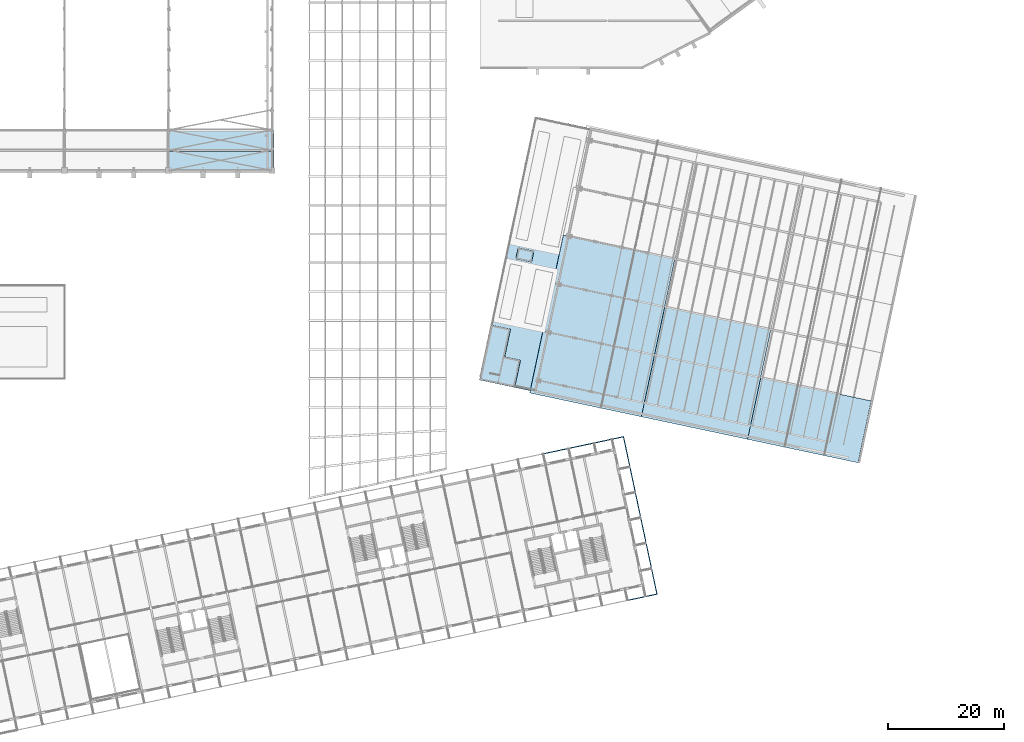
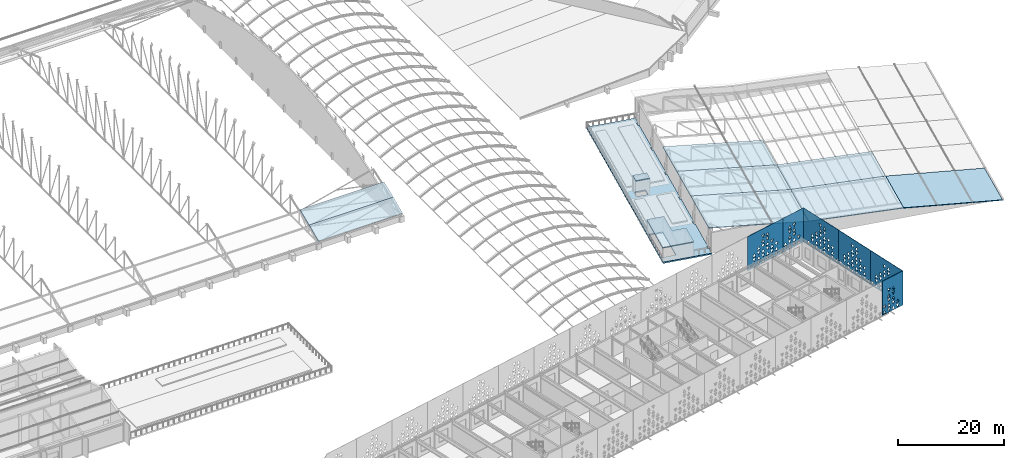
# One storey, part 111 of 196: 11 slabs, 6 plates.
"""IFC4 building model written with IfcOpenShell, lengths in metres."""

from ifc_helpers import new_model, si_unit, direction, frame, origin, place, context, subcontext, project, spatial, polyline, outline, extrude, material, layer, layer_set, type_object, element, save


model = new_model("IFC4")

# Units and contexts
model_context = context("Model", 3, precision=1e-05, world=origin(), true_north=direction((0.0, 1.0)))
body_context = subcontext(model_context, "Body", "Model", "MODEL_VIEW")
ifc_project = project(units=[si_unit("LENGTHUNIT", "METRE"), si_unit("AREAUNIT", "SQUARE_METRE"), si_unit("VOLUMEUNIT", "CUBIC_METRE"), si_unit("PLANEANGLEUNIT", "RADIAN"), si_unit("MASSUNIT", "GRAM", prefix="KILO")], contexts=[model_context])

# Site, building, storey
site_placement = place(None, origin())
site = spatial("IfcSite", under=ifc_project, at=site_placement, CompositionType="ELEMENT")
building_placement = place(site_placement, origin())
building = spatial("IfcBuilding", under=site, at=building_placement, Name="Okhra Congress Centre", CompositionType="ELEMENT")
storey_placement = place(building_placement, frame((0.0, 0.0, 12.0)))
storey = spatial("IfcBuildingStorey", under=building, at=storey_placement, Name="L02", CompositionType="ELEMENT", Elevation=12.0)

# Slabs
ifc_material_1 = material(Name="Insulated metal roof panel (mineral wool core), standing seam")
ifc_layer_1 = layer(ifc_material_1, 0.14990234375)
ifc_layer_set_1 = layer_set([ifc_layer_1], Name="Insulated roof panel 150")
slab_type_1 = type_object("IfcSlabType", Name="Insulated roof panel 150", PredefinedType="ROOF", material=ifc_layer_set_1)
slab_1_placement = place(storey_placement, frame((198.56005859375, 93.46484375, 6.267578125), z_axis=(0.136123377905, -0.028933703334, 0.990269290041), x_axis=(0.968630808877, -0.205882546357, -0.139164410682)))
element("IfcSlab", 1, at=slab_1_placement, inside=storey, type_object=slab_type_1, Name="Ballroom roof panel 1.1", PredefinedType="ROOF", context=body_context, shape_type="SweptSolid", body=[
    extrude(outline(polyline([(0.0, 0.0), (19.94675860483812, 6.76399854095816e-16), (19.946809655024843, 10.949973122126861), (5.105018672502126e-05, 10.94997312212686), (0.0, 0.0)])), origin(), (0.0, 0.0, -1.0), 0.14990234375),
])
slab_2_placement = place(storey_placement, frame((200.836669921875, 104.175537109375, 6.267578125), z_axis=(0.136122619936, -0.028933301554, 0.990269405971), x_axis=(0.968630922273, -0.205882570459, -0.139163585743)))
element("IfcSlab", 2, at=slab_2_placement, inside=storey, type_object=slab_type_1, Name="Ballroom roof panel 1.2", PredefinedType="ROOF", context=body_context, shape_type="SweptSolid", body=[
    extrude(outline(polyline([(0.0, 0.0), (19.9467586048312, 8.230602207811091e-16), (19.94690223504143, 8.49997296626778), (-9.285194852526324e-05, 8.499922208046895), (0.0, 0.0)])), origin(), (0.0, 0.0, -1.0), 0.14990234375),
])
slab_3_placement = place(storey_placement, frame((202.603759765625, 112.48974609375, 6.267578125), z_axis=(0.136122534815, -0.028932858665, 0.990269430612), x_axis=(0.96863147542, -0.205880086531, -0.139163410403)))
element("IfcSlab", 3, at=slab_3_placement, inside=storey, type_object=slab_type_1, Name="Ballroom roof panel 1.3", PredefinedType="ROOF", context=body_context, shape_type="SweptSolid", body=[
    extrude(outline(polyline([(0.0, 0.0), (19.946995087057164, -1.89484658432576e-16), (19.94692386447297, 8.49992220826182), (0.00011499601660891479, 8.50021177187685), (0.0, 0.0)])), origin(), (0.0, 0.0, -1.0), 0.14990234375),
])
slab_4_placement = place(storey_placement, frame((217.881103515625, 89.358154296875, 3.49169921875), z_axis=(0.051196973108, -0.010882048123, 0.998629286058), x_axis=(0.976804589265, -0.207637292809, -0.05234070143)))
element("IfcSlab", 4, at=slab_4_placement, inside=storey, type_object=slab_type_1, Name="Ballroom roof panel 2.1", PredefinedType="ROOF", context=body_context, shape_type="SweptSolid", body=[
    extrude(outline(polyline([(0.0, 0.0), (18.821084194743793, -6.892222388513516e-17), (18.820898522086438, 10.950211926432162), (-0.00013497995891675885, 10.949973121413832), (0.0, 0.0)])), origin(), (0.0, 0.0, -1.0), 0.14990234375),
])
slab_5_placement = place(storey_placement, frame((220.15771484375, 100.06884765625, 3.49169921875), z_axis=(0.05119688237, -0.010882814021, 0.998629282364), x_axis=(0.976807223732, -0.207624881121, -0.052340771918)))
element("IfcSlab", 5, at=slab_5_placement, inside=storey, type_object=slab_type_1, Name="Ballroom roof panel 2.2", PredefinedType="ROOF", context=body_context, shape_type="SweptSolid", body=[
    extrude(outline(polyline([(0.0, 0.0), (18.821033503560404, 1.8595676620726184e-16), (18.82114145424898, 8.499972966812038), (0.00010795068857816226, 8.499972966812038), (0.0, 0.0)])), origin(), (0.0, 0.0, -1.0), 0.14990234375),
])
slab_6_placement = place(storey_placement, frame((236.265625, 85.4501953125, 2.506591796875), z_axis=(0.119203857481, -0.025337086058, 0.992546458576), x_axis=(0.970858495354, -0.206354681147, -0.121866843596)))
element("IfcSlab", 6, at=slab_6_placement, inside=storey, type_object=slab_type_1, Name="Ballroom roof panel 3.1", PredefinedType="ROOF", context=body_context, shape_type="SweptSolid", body=[
    extrude(outline(polyline([(0.0, 0.0), (19.698809166923315, -6.698743122701689e-16), (19.698874902415564, 10.949973122048112), (1.5355931422433855e-05, 10.95021192799518), (0.0, 0.0)])), origin(), (0.0, 0.0, -1.0), 0.14990234375),
])
ifc_material_2 = material(Name="Insulated metal sandwich roof panel (mineral wool core)")
ifc_layer_2 = layer(ifc_material_2, 0.25)
ifc_layer_set_2 = layer_set([ifc_layer_2], Name="Insulated roof panel 250")
slab_type_2 = type_object("IfcSlabType", Name="Insulated roof panel 250", PredefinedType="ROOF", material=ifc_layer_set_2)
slab_7_placement = place(storey_placement, frame((136.0, 131.795654296875, 1.8564453125), z_axis=(0.0, -0.408547084695, 0.912737245645), x_axis=(1.0, 0.0, 0.0)))
element("IfcSlab", 7, at=slab_7_placement, inside=storey, type_object=slab_type_2, Name="EH.SLAB.L02.RP7-01", PredefinedType="ROOF", context=body_context, shape_type="SweptSolid", body=[
    extrude(outline(polyline([(0.0, 0.0), (18.25, 0.0), (18.25, 3.8442488013304907), (0.0, 3.8442488013304907), (0.0, 0.0)])), origin(), (0.0, 0.0, -1.0), 0.25),
])
slab_8_placement = place(storey_placement, frame((136.0, 135.304443359375, 3.427001953125), z_axis=(0.0, -0.37302210348, 0.927822456247), x_axis=(1.0, 0.0, 0.0)))
element("IfcSlab", 8, at=slab_8_placement, inside=storey, type_object=slab_type_2, Name="EH.SLAB.L02.RP7-02", PredefinedType="ROOF", context=body_context, shape_type="SweptSolid", body=[
    extrude(outline(polyline([(0.0, 0.0), (18.25, 0.0), (18.25, 3.791482133182613), (0.0, 3.791482133182613), (0.0, 0.0)])), origin(), (0.0, 0.0, -1.0), 0.25),
])
ifc_material_3 = material(Name="Concrete C30/37", Category="concrete")
ifc_layer_3 = layer(ifc_material_3, 0.199951171875)
ifc_layer_set_3 = layer_set([ifc_layer_3], Name="RC roof slab 200 C30/37")
slab_type_3 = type_object("IfcSlabType", Name="RC roof slab 200 C30/37", PredefinedType="ROOF", material=ifc_layer_set_3)
slab_9_placement = place(storey_placement, frame((0.0, 0.0, 3.199951171875)))
element("IfcSlab", 9, at=slab_9_placement, inside=storey, type_object=slab_type_3, Name="Gallery stair head-house roof slab", PredefinedType="ROOF", context=body_context, shape_type="SweptSolid", body=[
    extrude(outline(polyline([(189.83984375, 95.727294921875), (195.953125, 94.427978515625), (196.951171875, 99.123046875), (194.21240234375, 99.705078125), (195.231201171875, 104.498046875), (191.8564453125, 105.21533203125), (189.83984375, 95.727294921875)])), origin(), (0.0, 0.0, 1.0), 0.199951171875),
])
slab_10_placement = place(storey_placement, frame((0.0, 0.0, 3.60009765625)))
element("IfcSlab", 10, at=slab_10_placement, inside=storey, type_object=slab_type_3, Name="Gallery lift shaft lid", PredefinedType="ROOF", context=body_context, shape_type="SweptSolid", body=[
    extrude(outline(polyline([(196.143310546875, 116.7255859375), (198.882080078125, 116.1435546875), (199.277099609375, 118.001953125), (196.538330078125, 118.584228515625), (196.143310546875, 116.7255859375)])), origin(), (0.0, 0.0, 1.0), 0.199951171875),
])
ifc_material_4 = material(Name="Concrete C35/45", Category="concrete")
ifc_layer_4 = layer(ifc_material_4, 0.300048828125)
ifc_layer_set_4 = layer_set([ifc_layer_4], Name="RC terrace slab 300 C35/45")
slab_type_4 = type_object("IfcSlabType", Name="RC terrace slab 300 C35/45", PredefinedType="FLOOR", material=ifc_layer_set_4)
slab_11_placement = place(storey_placement, frame((0.0, 0.0, -0.300048828125)))
element("IfcSlab", 11, at=slab_11_placement, inside=storey, type_object=slab_type_4, Name="Foyer roof terrace slab", PredefinedType="FLOOR", context=body_context, shape_type="SweptSolid", body=[
    extrude(outline(polyline([(189.937744140625, 95.70654296875), (199.376708984375, 93.7001953125), (199.7197265625, 95.314208984375), (199.475341796875, 95.3662109375), (199.6416015625, 96.148681640625), (199.88623046875, 96.0966796875), (201.487060546875, 103.62841796875), (201.242431640625, 103.680419921875), (201.408935546875, 104.462890625), (201.6533203125, 104.410888671875), (203.25439453125, 111.942626953125), (203.009765625, 111.99462890625), (203.176025390625, 112.777099609375), (203.420654296875, 112.72509765625), (205.021484375, 120.2568359375), (204.777099609375, 120.308837890625), (204.943359375, 121.09130859375), (205.18798828125, 121.03955078125), (206.788818359375, 128.5712890625), (206.544189453125, 128.623046875), (206.710693359375, 129.40576171875), (206.955078125, 129.353759765625), (208.55615234375, 136.885498046875), (208.3115234375, 136.9375), (208.477783203125, 137.719970703125), (208.722412109375, 137.66796875), (209.0654296875, 139.281982421875), (199.626220703125, 141.288330078125), (189.937744140625, 95.70654296875)]), holes=[polyline([(193.245361328125, 96.598388671875), (194.896240234375, 104.36474609375), (192.1083984375, 104.957275390625), (190.45751953125, 97.19091796875), (193.245361328125, 96.598388671875)]), polyline([(196.478271484375, 116.85888671875), (198.63037109375, 116.4013671875), (198.942138671875, 117.86865234375), (196.790283203125, 118.326171875), (196.478271484375, 116.85888671875)])]), origin(), (0.0, 0.0, 1.0), 0.300048828125),
])

# Plates
ifc_material_5 = material(Name="Fired clay terracotta rainscreen panel, deep oxide-red glaze, non-combustible", Category="masonry")
ifc_layer_5 = layer(ifc_material_5, 0.080078125)
ifc_layer_set_5 = layer_set([ifc_layer_5], Name="Terracotta screen panel 5230x7840")
plate_type_1 = type_object("IfcPlateType", Name="Terracotta screen panel 5230x7840", PredefinedType="SHEET", material=ifc_layer_set_5)
plate_1_placement = place(storey_placement, frame((215.5, 57.57666015625, 1.949951171875), z_axis=(0.0, 0.0, 1.0), x_axis=(0.978146748157, 0.207915701837, 0.0)))
element("IfcPlate", 12, at=plate_1_placement, inside=storey, type_object=plate_type_1, Name="Screen panel S19 Tier 2", PredefinedType="SHEET", context=body_context, shape_type="SweptSolid", body=[
    extrude(outline(polyline([(0.0, 0.0), (5.22998046875, 0.0), (5.22998046875, 7.840087890625), (0.0, 7.840087890625), (0.0, 0.0)]), holes=[polyline([(0.176513671875, 0.183837890625), (0.943603515625, 0.183837890625), (0.56005859375, 0.93603515625), (0.176513671875, 0.183837890625)]), polyline([(1.29638671875, 0.93603515625), (1.679931640625, 0.183837890625), (2.0634765625, 0.93603515625), (1.29638671875, 0.93603515625)]), polyline([(2.41650390625, 0.183837890625), (3.18359375, 0.183837890625), (2.800048828125, 0.93603515625), (2.41650390625, 0.183837890625)]), polyline([(3.536376953125, 0.93603515625), (3.919921875, 0.183837890625), (4.3037109375, 0.93603515625), (3.536376953125, 0.93603515625)]), polyline([(0.176513671875, 2.05615234375), (0.56005859375, 1.303955078125), (0.943603515625, 2.05615234375), (0.176513671875, 2.05615234375)]), polyline([(1.29638671875, 1.303955078125), (2.0634765625, 1.303955078125), (1.679931640625, 2.05615234375), (1.29638671875, 1.303955078125)]), polyline([(2.41650390625, 2.05615234375), (2.800048828125, 1.303955078125), (3.18359375, 2.05615234375), (2.41650390625, 2.05615234375)]), polyline([(3.536376953125, 1.303955078125), (4.3037109375, 1.303955078125), (3.919921875, 2.05615234375), (3.536376953125, 1.303955078125)]), polyline([(1.29638671875, 3.176025390625), (1.679931640625, 2.423828125), (2.0634765625, 3.176025390625), (1.29638671875, 3.176025390625)]), polyline([(2.41650390625, 2.423828125), (3.18359375, 2.423828125), (2.800048828125, 3.176025390625), (2.41650390625, 2.423828125)]), polyline([(1.29638671875, 3.5439453125), (2.0634765625, 3.5439453125), (1.679931640625, 4.296142578125), (1.29638671875, 3.5439453125)]), polyline([(2.41650390625, 4.296142578125), (2.800048828125, 3.5439453125), (3.18359375, 4.296142578125), (2.41650390625, 4.296142578125)]), polyline([(1.29638671875, 5.416015625), (1.679931640625, 4.663818359375), (2.0634765625, 5.416015625), (1.29638671875, 5.416015625)]), polyline([(2.41650390625, 4.663818359375), (3.18359375, 4.663818359375), (2.800048828125, 5.416015625), (2.41650390625, 4.663818359375)])]), frame((0.0, 0.0400390625, 0.0), z_axis=(0.0, -1.0, 0.0), x_axis=(1.0, 0.0, 0.0)), (0.0, 0.0, 1.0), 0.080078125),
])
plate_2_placement = place(storey_placement, frame((214.825439453125, 85.905517578125, 1.949951171875), z_axis=(0.0, 0.0, 1.0), x_axis=(-0.978146748157, -0.207915701837, 0.0)))
element("IfcPlate", 13, at=plate_2_placement, inside=storey, type_object=plate_type_1, Name="Screen panel N1 Tier 2", PredefinedType="SHEET", context=body_context, shape_type="SweptSolid", body=[
    extrude(outline(polyline([(0.0, 0.0), (5.22998046875, 0.0), (5.22998046875, 7.840087890625), (0.0, 7.840087890625), (0.0, 0.0)]), holes=[polyline([(0.926513671875, 0.183837890625), (1.693603515625, 0.183837890625), (1.31005859375, 0.93603515625), (0.926513671875, 0.183837890625)]), polyline([(2.04638671875, 0.93603515625), (2.429931640625, 0.183837890625), (2.8134765625, 0.93603515625), (2.04638671875, 0.93603515625)]), polyline([(3.16650390625, 0.183837890625), (3.93359375, 0.183837890625), (3.550048828125, 0.93603515625), (3.16650390625, 0.183837890625)]), polyline([(4.286376953125, 0.93603515625), (4.669921875, 0.183837890625), (5.0537109375, 0.93603515625), (4.286376953125, 0.93603515625)]), polyline([(0.926513671875, 2.05615234375), (1.31005859375, 1.303955078125), (1.693603515625, 2.05615234375), (0.926513671875, 2.05615234375)]), polyline([(2.04638671875, 1.303955078125), (2.8134765625, 1.303955078125), (2.429931640625, 2.05615234375), (2.04638671875, 1.303955078125)]), polyline([(3.16650390625, 2.05615234375), (3.550048828125, 1.303955078125), (3.93359375, 2.05615234375), (3.16650390625, 2.05615234375)]), polyline([(4.286376953125, 1.303955078125), (5.0537109375, 1.303955078125), (4.669921875, 2.05615234375), (4.286376953125, 1.303955078125)]), polyline([(2.04638671875, 3.176025390625), (2.429931640625, 2.423828125), (2.8134765625, 3.176025390625), (2.04638671875, 3.176025390625)]), polyline([(3.16650390625, 2.423828125), (3.93359375, 2.423828125), (3.550048828125, 3.176025390625), (3.16650390625, 2.423828125)]), polyline([(2.04638671875, 3.5439453125), (2.8134765625, 3.5439453125), (2.429931640625, 4.296142578125), (2.04638671875, 3.5439453125)]), polyline([(3.16650390625, 4.296142578125), (3.550048828125, 3.5439453125), (3.93359375, 4.296142578125), (3.16650390625, 4.296142578125)]), polyline([(2.04638671875, 5.416015625), (2.429931640625, 4.663818359375), (2.8134765625, 5.416015625), (2.04638671875, 5.416015625)]), polyline([(3.16650390625, 4.663818359375), (3.93359375, 4.663818359375), (3.550048828125, 5.416015625), (3.16650390625, 4.663818359375)])]), frame((0.0, 0.0400390625, 0.0), z_axis=(0.0, -1.0, 0.0), x_axis=(1.0, 0.0, 0.0)), (0.0, 0.0, 1.0), 0.080078125),
])
ifc_layer_6 = layer(ifc_material_5, 0.080078125)
ifc_layer_set_6 = layer_set([ifc_layer_6], Name="Terracotta screen panel 8970x7840")
plate_type_2 = type_object("IfcPlateType", Name="Terracotta screen panel 8970x7840", PredefinedType="SHEET", material=ifc_layer_set_6)
plate_3_placement = place(storey_placement, frame((220.568359375, 58.69482421875, 1.949951171875), z_axis=(0.0, 0.0, 1.0), x_axis=(-0.207915396115, 0.978146813141, 0.0)))
element("IfcPlate", 14, at=plate_3_placement, inside=storey, type_object=plate_type_2, Name="Screen panel E1 Tier 2", PredefinedType="SHEET", context=body_context, shape_type="SweptSolid", body=[
    extrude(outline(polyline([(0.0, 0.0), (8.969970703125, 0.0), (8.969970703125, 7.840087890625), (0.0, 7.840087890625), (0.0, 0.0)]), holes=[polyline([(0.1865234375, 0.183837890625), (0.95361328125, 0.183837890625), (0.570068359375, 0.93603515625), (0.1865234375, 0.183837890625)]), polyline([(1.306396484375, 0.93603515625), (1.68994140625, 0.183837890625), (2.073486328125, 0.93603515625), (1.306396484375, 0.93603515625)]), polyline([(2.426513671875, 0.183837890625), (3.193603515625, 0.183837890625), (2.81005859375, 0.93603515625), (2.426513671875, 0.183837890625)]), polyline([(3.54638671875, 0.93603515625), (3.929931640625, 0.183837890625), (4.3134765625, 0.93603515625), (3.54638671875, 0.93603515625)]), polyline([(4.66650390625, 0.183837890625), (5.43359375, 0.183837890625), (5.050048828125, 0.93603515625), (4.66650390625, 0.183837890625)]), polyline([(5.786376953125, 0.93603515625), (6.169921875, 0.183837890625), (6.5537109375, 0.93603515625), (5.786376953125, 0.93603515625)]), polyline([(6.906494140625, 0.183837890625), (7.673583984375, 0.183837890625), (7.2900390625, 0.93603515625), (6.906494140625, 0.183837890625)]), polyline([(8.0263671875, 0.93603515625), (8.409912109375, 0.183837890625), (8.793701171875, 0.93603515625), (8.0263671875, 0.93603515625)]), polyline([(1.306396484375, 1.303955078125), (2.073486328125, 1.303955078125), (1.68994140625, 2.05615234375), (1.306396484375, 1.303955078125)]), polyline([(2.426513671875, 2.05615234375), (2.81005859375, 1.303955078125), (3.193603515625, 2.05615234375), (2.426513671875, 2.05615234375)]), polyline([(3.54638671875, 1.303955078125), (4.3134765625, 1.303955078125), (3.929931640625, 2.05615234375), (3.54638671875, 1.303955078125)]), polyline([(4.66650390625, 2.05615234375), (5.050048828125, 1.303955078125), (5.43359375, 2.05615234375), (4.66650390625, 2.05615234375)]), polyline([(5.786376953125, 1.303955078125), (6.5537109375, 1.303955078125), (6.169921875, 2.05615234375), (5.786376953125, 1.303955078125)]), polyline([(6.906494140625, 2.05615234375), (7.2900390625, 1.303955078125), (7.673583984375, 2.05615234375), (6.906494140625, 2.05615234375)]), polyline([(1.306396484375, 3.176025390625), (1.68994140625, 2.423828125), (2.073486328125, 3.176025390625), (1.306396484375, 3.176025390625)]), polyline([(2.426513671875, 2.423828125), (3.193603515625, 2.423828125), (2.81005859375, 3.176025390625), (2.426513671875, 2.423828125)]), polyline([(3.54638671875, 3.176025390625), (3.929931640625, 2.423828125), (4.3134765625, 3.176025390625), (3.54638671875, 3.176025390625)]), polyline([(4.66650390625, 2.423828125), (5.43359375, 2.423828125), (5.050048828125, 3.176025390625), (4.66650390625, 2.423828125)]), polyline([(5.786376953125, 3.176025390625), (6.169921875, 2.423828125), (6.5537109375, 3.176025390625), (5.786376953125, 3.176025390625)]), polyline([(6.906494140625, 2.423828125), (7.673583984375, 2.423828125), (7.2900390625, 3.176025390625), (6.906494140625, 2.423828125)]), polyline([(2.426513671875, 4.296142578125), (2.81005859375, 3.5439453125), (3.193603515625, 4.296142578125), (2.426513671875, 4.296142578125)]), polyline([(3.54638671875, 3.5439453125), (4.3134765625, 3.5439453125), (3.929931640625, 4.296142578125), (3.54638671875, 3.5439453125)]), polyline([(4.66650390625, 4.296142578125), (5.050048828125, 3.5439453125), (5.43359375, 4.296142578125), (4.66650390625, 4.296142578125)]), polyline([(5.786376953125, 3.5439453125), (6.5537109375, 3.5439453125), (6.169921875, 4.296142578125), (5.786376953125, 3.5439453125)]), polyline([(3.54638671875, 5.416015625), (3.929931640625, 4.663818359375), (4.3134765625, 5.416015625), (3.54638671875, 5.416015625)]), polyline([(4.66650390625, 4.663818359375), (5.43359375, 4.663818359375), (5.050048828125, 5.416015625), (4.66650390625, 4.663818359375)]), polyline([(3.54638671875, 5.783935546875), (4.3134765625, 5.783935546875), (3.929931640625, 6.5361328125), (3.54638671875, 5.783935546875)]), polyline([(4.66650390625, 6.5361328125), (5.050048828125, 5.783935546875), (5.43359375, 6.5361328125), (4.66650390625, 6.5361328125)])]), frame((0.0, 0.0400390625, 0.0), z_axis=(0.0, -1.0, 0.0), x_axis=(1.0, 0.0, 0.0)), (0.0, 0.0, 1.0), 0.080078125),
])
ifc_layer_7 = layer(ifc_material_5, 0.080078125)
ifc_layer_set_7 = layer_set([ifc_layer_7], Name="Terracotta screen panel 8980x7840")
plate_type_3 = type_object("IfcPlateType", Name="Terracotta screen panel 8980x7840", PredefinedType="SHEET", material=ifc_layer_set_7)
plate_4_placement = place(storey_placement, frame((218.69921875, 67.48828125, 1.949951171875), z_axis=(0.0, 0.0, 1.0), x_axis=(-0.207922809819, 0.978145237251, 0.0)))
element("IfcPlate", 15, at=plate_4_placement, inside=storey, type_object=plate_type_3, Name="Screen panel E2 Tier 2", PredefinedType="SHEET", context=body_context, shape_type="SweptSolid", body=[
    extrude(outline(polyline([(0.0, 0.0), (8.980224609375, 0.0), (8.980224609375, 7.840087890625), (0.0, 7.840087890625), (0.0, 0.0)]), holes=[polyline([(0.176513671875, 0.183837890625), (0.943603515625, 0.183837890625), (0.56005859375, 0.93603515625), (0.176513671875, 0.183837890625)]), polyline([(1.29638671875, 0.93603515625), (1.679931640625, 0.183837890625), (2.0634765625, 0.93603515625), (1.29638671875, 0.93603515625)]), polyline([(2.41650390625, 0.183837890625), (3.18359375, 0.183837890625), (2.800048828125, 0.93603515625), (2.41650390625, 0.183837890625)]), polyline([(3.536376953125, 0.93603515625), (3.919921875, 0.183837890625), (4.3037109375, 0.93603515625), (3.536376953125, 0.93603515625)]), polyline([(4.656494140625, 0.183837890625), (5.423583984375, 0.183837890625), (5.0400390625, 0.93603515625), (4.656494140625, 0.183837890625)]), polyline([(5.7763671875, 0.93603515625), (6.159912109375, 0.183837890625), (6.543701171875, 0.93603515625), (5.7763671875, 0.93603515625)]), polyline([(6.896484375, 0.183837890625), (7.66357421875, 0.183837890625), (7.280029296875, 0.93603515625), (6.896484375, 0.183837890625)]), polyline([(8.016357421875, 0.93603515625), (8.39990234375, 0.183837890625), (8.78369140625, 0.93603515625), (8.016357421875, 0.93603515625)]), polyline([(1.29638671875, 1.303955078125), (2.0634765625, 1.303955078125), (1.679931640625, 2.05615234375), (1.29638671875, 1.303955078125)]), polyline([(2.41650390625, 2.05615234375), (2.800048828125, 1.303955078125), (3.18359375, 2.05615234375), (2.41650390625, 2.05615234375)]), polyline([(3.536376953125, 1.303955078125), (4.3037109375, 1.303955078125), (3.919921875, 2.05615234375), (3.536376953125, 1.303955078125)]), polyline([(4.656494140625, 2.05615234375), (5.0400390625, 1.303955078125), (5.423583984375, 2.05615234375), (4.656494140625, 2.05615234375)]), polyline([(5.7763671875, 1.303955078125), (6.543701171875, 1.303955078125), (6.159912109375, 2.05615234375), (5.7763671875, 1.303955078125)]), polyline([(6.896484375, 2.05615234375), (7.280029296875, 1.303955078125), (7.66357421875, 2.05615234375), (6.896484375, 2.05615234375)]), polyline([(1.29638671875, 3.176025390625), (1.679931640625, 2.423828125), (2.0634765625, 3.176025390625), (1.29638671875, 3.176025390625)]), polyline([(2.41650390625, 2.423828125), (3.18359375, 2.423828125), (2.800048828125, 3.176025390625), (2.41650390625, 2.423828125)]), polyline([(3.536376953125, 3.176025390625), (3.919921875, 2.423828125), (4.3037109375, 3.176025390625), (3.536376953125, 3.176025390625)]), polyline([(4.656494140625, 2.423828125), (5.423583984375, 2.423828125), (5.0400390625, 3.176025390625), (4.656494140625, 2.423828125)]), polyline([(5.7763671875, 3.176025390625), (6.159912109375, 2.423828125), (6.543701171875, 3.176025390625), (5.7763671875, 3.176025390625)]), polyline([(6.896484375, 2.423828125), (7.66357421875, 2.423828125), (7.280029296875, 3.176025390625), (6.896484375, 2.423828125)]), polyline([(2.41650390625, 4.296142578125), (2.800048828125, 3.5439453125), (3.18359375, 4.296142578125), (2.41650390625, 4.296142578125)]), polyline([(3.536376953125, 3.5439453125), (4.3037109375, 3.5439453125), (3.919921875, 4.296142578125), (3.536376953125, 3.5439453125)]), polyline([(4.656494140625, 4.296142578125), (5.0400390625, 3.5439453125), (5.423583984375, 4.296142578125), (4.656494140625, 4.296142578125)]), polyline([(5.7763671875, 3.5439453125), (6.543701171875, 3.5439453125), (6.159912109375, 4.296142578125), (5.7763671875, 3.5439453125)]), polyline([(3.536376953125, 5.416015625), (3.919921875, 4.663818359375), (4.3037109375, 5.416015625), (3.536376953125, 5.416015625)]), polyline([(4.656494140625, 4.663818359375), (5.423583984375, 4.663818359375), (5.0400390625, 5.416015625), (4.656494140625, 4.663818359375)]), polyline([(3.536376953125, 5.783935546875), (4.3037109375, 5.783935546875), (3.919921875, 6.5361328125), (3.536376953125, 5.783935546875)]), polyline([(4.656494140625, 6.5361328125), (5.0400390625, 5.783935546875), (5.423583984375, 6.5361328125), (4.656494140625, 6.5361328125)])]), frame((0.0, 0.0400390625, 0.0), z_axis=(0.0, -1.0, 0.0), x_axis=(1.0, 0.0, 0.0)), (0.0, 0.0, 1.0), 0.080078125),
])
plate_5_placement = place(storey_placement, frame((209.690185546875, 84.81396484375, 1.949951171875), z_axis=(0.0, 0.0, 1.0), x_axis=(-0.978144061878, -0.207928339131, 0.0)))
element("IfcPlate", 16, at=plate_5_placement, inside=storey, type_object=plate_type_3, Name="Screen panel N2 Tier 2", PredefinedType="SHEET", context=body_context, shape_type="SweptSolid", body=[
    extrude(outline(polyline([(0.0, 0.0), (8.97998046875, 0.0), (8.97998046875, 7.840087890625), (0.0, 7.840087890625), (0.0, 0.0)]), holes=[polyline([(0.176513671875, 0.183837890625), (0.943603515625, 0.183837890625), (0.56005859375, 0.93603515625), (0.176513671875, 0.183837890625)]), polyline([(1.29638671875, 0.93603515625), (1.679931640625, 0.183837890625), (2.0634765625, 0.93603515625), (1.29638671875, 0.93603515625)]), polyline([(2.41650390625, 0.183837890625), (3.18359375, 0.183837890625), (2.800048828125, 0.93603515625), (2.41650390625, 0.183837890625)]), polyline([(3.536376953125, 0.93603515625), (3.919921875, 0.183837890625), (4.3037109375, 0.93603515625), (3.536376953125, 0.93603515625)]), polyline([(4.656494140625, 0.183837890625), (5.423583984375, 0.183837890625), (5.0400390625, 0.93603515625), (4.656494140625, 0.183837890625)]), polyline([(5.7763671875, 0.93603515625), (6.159912109375, 0.183837890625), (6.543701171875, 0.93603515625), (5.7763671875, 0.93603515625)]), polyline([(6.896484375, 0.183837890625), (7.66357421875, 0.183837890625), (7.280029296875, 0.93603515625), (6.896484375, 0.183837890625)]), polyline([(8.016357421875, 0.93603515625), (8.39990234375, 0.183837890625), (8.78369140625, 0.93603515625), (8.016357421875, 0.93603515625)]), polyline([(1.29638671875, 1.303955078125), (2.0634765625, 1.303955078125), (1.679931640625, 2.05615234375), (1.29638671875, 1.303955078125)]), polyline([(2.41650390625, 2.05615234375), (2.800048828125, 1.303955078125), (3.18359375, 2.05615234375), (2.41650390625, 2.05615234375)]), polyline([(3.536376953125, 1.303955078125), (4.3037109375, 1.303955078125), (3.919921875, 2.05615234375), (3.536376953125, 1.303955078125)]), polyline([(4.656494140625, 2.05615234375), (5.0400390625, 1.303955078125), (5.423583984375, 2.05615234375), (4.656494140625, 2.05615234375)]), polyline([(5.7763671875, 1.303955078125), (6.543701171875, 1.303955078125), (6.159912109375, 2.05615234375), (5.7763671875, 1.303955078125)]), polyline([(6.896484375, 2.05615234375), (7.280029296875, 1.303955078125), (7.66357421875, 2.05615234375), (6.896484375, 2.05615234375)]), polyline([(1.29638671875, 3.176025390625), (1.679931640625, 2.423828125), (2.0634765625, 3.176025390625), (1.29638671875, 3.176025390625)]), polyline([(2.41650390625, 2.423828125), (3.18359375, 2.423828125), (2.800048828125, 3.176025390625), (2.41650390625, 2.423828125)]), polyline([(3.536376953125, 3.176025390625), (3.919921875, 2.423828125), (4.3037109375, 3.176025390625), (3.536376953125, 3.176025390625)]), polyline([(4.656494140625, 2.423828125), (5.423583984375, 2.423828125), (5.0400390625, 3.176025390625), (4.656494140625, 2.423828125)]), polyline([(5.7763671875, 3.176025390625), (6.159912109375, 2.423828125), (6.543701171875, 3.176025390625), (5.7763671875, 3.176025390625)]), polyline([(6.896484375, 2.423828125), (7.66357421875, 2.423828125), (7.280029296875, 3.176025390625), (6.896484375, 2.423828125)]), polyline([(2.41650390625, 4.296142578125), (2.800048828125, 3.5439453125), (3.18359375, 4.296142578125), (2.41650390625, 4.296142578125)]), polyline([(3.536376953125, 3.5439453125), (4.3037109375, 3.5439453125), (3.919921875, 4.296142578125), (3.536376953125, 3.5439453125)]), polyline([(4.656494140625, 4.296142578125), (5.0400390625, 3.5439453125), (5.423583984375, 4.296142578125), (4.656494140625, 4.296142578125)]), polyline([(5.7763671875, 3.5439453125), (6.543701171875, 3.5439453125), (6.159912109375, 4.296142578125), (5.7763671875, 3.5439453125)]), polyline([(3.536376953125, 5.416015625), (3.919921875, 4.663818359375), (4.3037109375, 5.416015625), (3.536376953125, 5.416015625)]), polyline([(4.656494140625, 4.663818359375), (5.423583984375, 4.663818359375), (5.0400390625, 5.416015625), (4.656494140625, 4.663818359375)]), polyline([(3.536376953125, 5.783935546875), (4.3037109375, 5.783935546875), (3.919921875, 6.5361328125), (3.536376953125, 5.783935546875)]), polyline([(4.656494140625, 6.5361328125), (5.0400390625, 5.783935546875), (5.423583984375, 6.5361328125), (4.656494140625, 6.5361328125)])]), frame((0.0, 0.0400390625, 0.0), z_axis=(0.0, -1.0, 0.0), x_axis=(1.0, 0.0, 0.0)), (0.0, 0.0, 1.0), 0.080078125),
])
ifc_layer_8 = layer(ifc_material_5, 0.080078125)
ifc_layer_set_8 = layer_set([ifc_layer_8], Name="Terracotta screen panel 9780x7840")
plate_type_4 = type_object("IfcPlateType", Name="Terracotta screen panel 9780x7840", PredefinedType="SHEET", material=ifc_layer_set_8)
plate_6_placement = place(storey_placement, frame((216.827880859375, 76.291748046875, 1.949951171875), z_axis=(0.0, 0.0, 1.0), x_axis=(-0.207897270364, 0.978150665785, 0.0)))
element("IfcPlate", 17, at=plate_6_placement, inside=storey, type_object=plate_type_4, Name="Screen panel E3 Tier 2", PredefinedType="SHEET", context=body_context, shape_type="SweptSolid", body=[
    extrude(outline(polyline([(0.0, 0.0), (9.77978515625, 0.0), (9.77978515625, 7.840087890625), (0.0, 7.840087890625), (0.0, 0.0)]), holes=[polyline([(0.176513671875, 0.183837890625), (0.943603515625, 0.183837890625), (0.56005859375, 0.93603515625), (0.176513671875, 0.183837890625)]), polyline([(1.29638671875, 0.93603515625), (1.679931640625, 0.183837890625), (2.0634765625, 0.93603515625), (1.29638671875, 0.93603515625)]), polyline([(2.41650390625, 0.183837890625), (3.18359375, 0.183837890625), (2.800048828125, 0.93603515625), (2.41650390625, 0.183837890625)]), polyline([(3.536376953125, 0.93603515625), (3.919921875, 0.183837890625), (4.3037109375, 0.93603515625), (3.536376953125, 0.93603515625)]), polyline([(4.656494140625, 0.183837890625), (5.423583984375, 0.183837890625), (5.0400390625, 0.93603515625), (4.656494140625, 0.183837890625)]), polyline([(5.7763671875, 0.93603515625), (6.159912109375, 0.183837890625), (6.543701171875, 0.93603515625), (5.7763671875, 0.93603515625)]), polyline([(6.896484375, 0.183837890625), (7.66357421875, 0.183837890625), (7.280029296875, 0.93603515625), (6.896484375, 0.183837890625)]), polyline([(8.016357421875, 0.93603515625), (8.39990234375, 0.183837890625), (8.78369140625, 0.93603515625), (8.016357421875, 0.93603515625)]), polyline([(1.29638671875, 1.303955078125), (2.0634765625, 1.303955078125), (1.679931640625, 2.05615234375), (1.29638671875, 1.303955078125)]), polyline([(2.41650390625, 2.05615234375), (2.800048828125, 1.303955078125), (3.18359375, 2.05615234375), (2.41650390625, 2.05615234375)]), polyline([(3.536376953125, 1.303955078125), (4.3037109375, 1.303955078125), (3.919921875, 2.05615234375), (3.536376953125, 1.303955078125)]), polyline([(4.656494140625, 2.05615234375), (5.0400390625, 1.303955078125), (5.423583984375, 2.05615234375), (4.656494140625, 2.05615234375)]), polyline([(5.7763671875, 1.303955078125), (6.543701171875, 1.303955078125), (6.159912109375, 2.05615234375), (5.7763671875, 1.303955078125)]), polyline([(6.896484375, 2.05615234375), (7.280029296875, 1.303955078125), (7.66357421875, 2.05615234375), (6.896484375, 2.05615234375)]), polyline([(1.29638671875, 3.176025390625), (1.679931640625, 2.423828125), (2.0634765625, 3.176025390625), (1.29638671875, 3.176025390625)]), polyline([(2.41650390625, 2.423828125), (3.18359375, 2.423828125), (2.800048828125, 3.176025390625), (2.41650390625, 2.423828125)]), polyline([(3.536376953125, 3.176025390625), (3.919921875, 2.423828125), (4.3037109375, 3.176025390625), (3.536376953125, 3.176025390625)]), polyline([(4.656494140625, 2.423828125), (5.423583984375, 2.423828125), (5.0400390625, 3.176025390625), (4.656494140625, 2.423828125)]), polyline([(5.7763671875, 3.176025390625), (6.159912109375, 2.423828125), (6.543701171875, 3.176025390625), (5.7763671875, 3.176025390625)]), polyline([(6.896484375, 2.423828125), (7.66357421875, 2.423828125), (7.280029296875, 3.176025390625), (6.896484375, 2.423828125)]), polyline([(2.41650390625, 4.296142578125), (2.800048828125, 3.5439453125), (3.18359375, 4.296142578125), (2.41650390625, 4.296142578125)]), polyline([(3.536376953125, 3.5439453125), (4.3037109375, 3.5439453125), (3.919921875, 4.296142578125), (3.536376953125, 3.5439453125)]), polyline([(4.656494140625, 4.296142578125), (5.0400390625, 3.5439453125), (5.423583984375, 4.296142578125), (4.656494140625, 4.296142578125)]), polyline([(5.7763671875, 3.5439453125), (6.543701171875, 3.5439453125), (6.159912109375, 4.296142578125), (5.7763671875, 3.5439453125)]), polyline([(3.536376953125, 5.416015625), (3.919921875, 4.663818359375), (4.3037109375, 5.416015625), (3.536376953125, 5.416015625)]), polyline([(4.656494140625, 4.663818359375), (5.423583984375, 4.663818359375), (5.0400390625, 5.416015625), (4.656494140625, 4.663818359375)]), polyline([(3.536376953125, 5.783935546875), (4.3037109375, 5.783935546875), (3.919921875, 6.5361328125), (3.536376953125, 5.783935546875)]), polyline([(4.656494140625, 6.5361328125), (5.0400390625, 5.783935546875), (5.423583984375, 6.5361328125), (4.656494140625, 6.5361328125)])]), frame((0.0, 0.0400390625, 0.0), z_axis=(0.0, -1.0, 0.0), x_axis=(1.0, 0.0, 0.0)), (0.0, 0.0, 1.0), 0.080078125),
])

save(model, "model.ifc")
